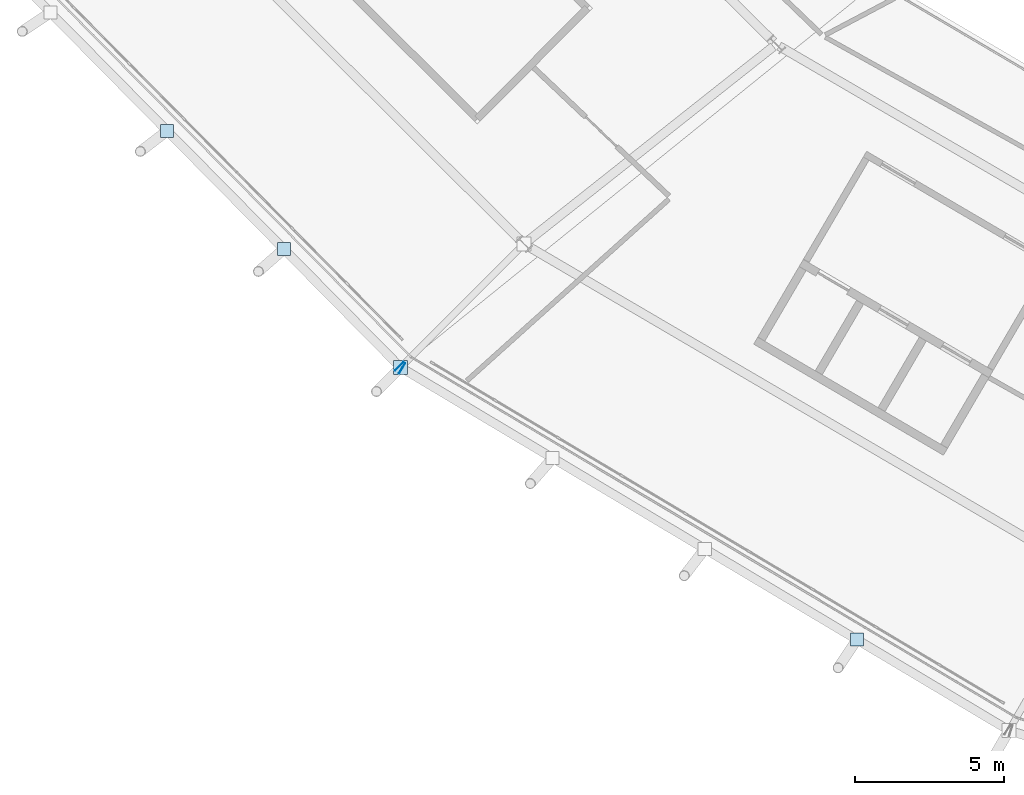
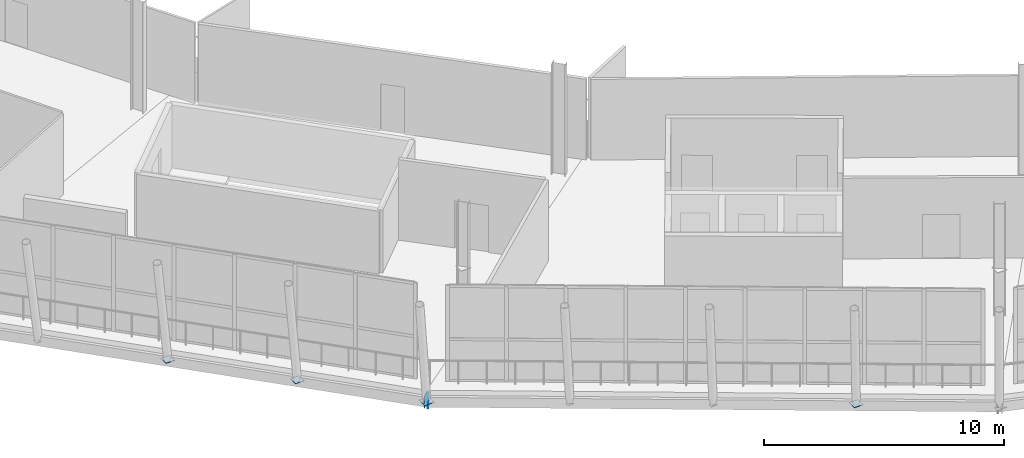
# One storey, part 62 of 99: 6 plates.
"""IFC4 building model written with IfcOpenShell, lengths in metres."""

from ifc_helpers import new_model, si_unit, direction, frame, origin, origin_2d, place, context, subcontext, project, spatial, rectangle, extrude, material, layer, layer_set, type_object, element, save


model = new_model("IFC4")

# Units and contexts
model_context = context("Model", 3, precision=1e-05, world=origin(), true_north=direction((0.0, 1.0)))
body_context = subcontext(model_context, "Body", "Model", "MODEL_VIEW")
ifc_project = project(units=[si_unit("LENGTHUNIT", "METRE"), si_unit("AREAUNIT", "SQUARE_METRE"), si_unit("VOLUMEUNIT", "CUBIC_METRE"), si_unit("PLANEANGLEUNIT", "RADIAN"), si_unit("MASSUNIT", "GRAM", prefix="KILO")], contexts=[model_context])

# Site, building, storey
site_placement = place(None, origin())
site = spatial("IfcSite", under=ifc_project, at=site_placement, CompositionType="ELEMENT")
building_placement = place(site_placement, origin())
building = spatial("IfcBuilding", under=site, at=building_placement, Name="Zlatoyarsky Gate Stadium", CompositionType="ELEMENT")
storey_placement = place(building_placement, frame((0.0, 0.0, 26.199951171875)))
storey = spatial("IfcBuildingStorey", under=building, at=storey_placement, Name="L05", CompositionType="ELEMENT", Elevation=26.199951171875)

# Plates
ifc_material = material(Name="Steel S355", Category="steel")
ifc_layer = layer(ifc_material, 0.02392578125)
ifc_layer_set = layer_set([ifc_layer], Name="Steel S355")
plate_type = type_object("IfcPlateType", Name="STEEL HOLLOW CHORD SPLICE SHEET 24", PredefinedType="SHEET", material=ifc_layer_set)
for number, where, z_axis, x_axis, name in (
    (1, (41.04052734375, 25.681640625, -0.81005859375), (0.0, 0.0, 1.0), (0.702431198843, -0.711751649729, 0.0), "Hollow end cap ND-SP1 CAP-L05-SPD-14 B"),
    (2, (41.134033203125, 25.6083984375, -0.81005859375), (0.0, 0.0, 1.0), (0.858777552781, -0.51234862627, 0.0), "Hollow end cap ND-SP1 CAP-L05-SPD-15 A"),
):
    element("IfcPlate", number, at=place(storey_placement, frame(where, z_axis=z_axis, x_axis=x_axis)), inside=storey, type_object=plate_type, Name=name, PredefinedType="SHEET", context=body_context, shape_type="SweptSolid", body=[
        extrude(rectangle(XDim=0.02392578125, YDim=0.39990234375, at=origin_2d()), origin(), (0.0, 0.0, 1.0), 0.60009765625),
    ])
plate_placement = place(storey_placement, frame((41.08251953125, 25.638916015625, -0.572021484375), z_axis=(0.0, 0.0, 1.0), x_axis=(1.0, 0.0, 0.0)))
element("IfcPlate", 3, at=plate_placement, inside=storey, type_object=plate_type, Name="Node closure plate ND-SP1 NCAP-L05-RSTR-15", PredefinedType="SHEET", context=body_context, shape_type="SweptSolid", body=[
    extrude(rectangle(XDim=0.47998046875, YDim=0.47998046875, at=origin_2d()), origin(), (0.0, 0.0, 1.0), 0.02392578125),
])
for number, where, z_axis, x_axis, name in (
    (4, (33.225830078125, 33.60009765625, -0.52197265625), (0.0, 0.0, 1.0), (1.0, 0.0, 0.0), "Node closure plate ND-SP1 NCAP-RIB-14-2-3T"),
    (5, (37.154296875, 29.619384765625, -0.52197265625), (0.0, 0.0, 1.0), (1.0, 0.0, 0.0), "Node closure plate ND-SP1 NCAP-RIB-14-3-3T"),
    (6, (56.44140625, 16.475830078125, -0.52197265625), (0.0, 0.0, 1.0), (1.0, 0.0, 0.0), "Node closure plate ND-SP1 NCAP-RIB-15-3-3T"),
):
    element("IfcPlate", number, at=place(storey_placement, frame(where, z_axis=z_axis, x_axis=x_axis)), inside=storey, type_object=plate_type, Name=name, PredefinedType="SHEET", context=body_context, shape_type="SweptSolid", body=[
        extrude(rectangle(XDim=0.43994140625, YDim=0.43994140625, at=origin_2d()), origin(), (0.0, 0.0, 1.0), 0.02392578125),
    ])

save(model, "model.ifc")
